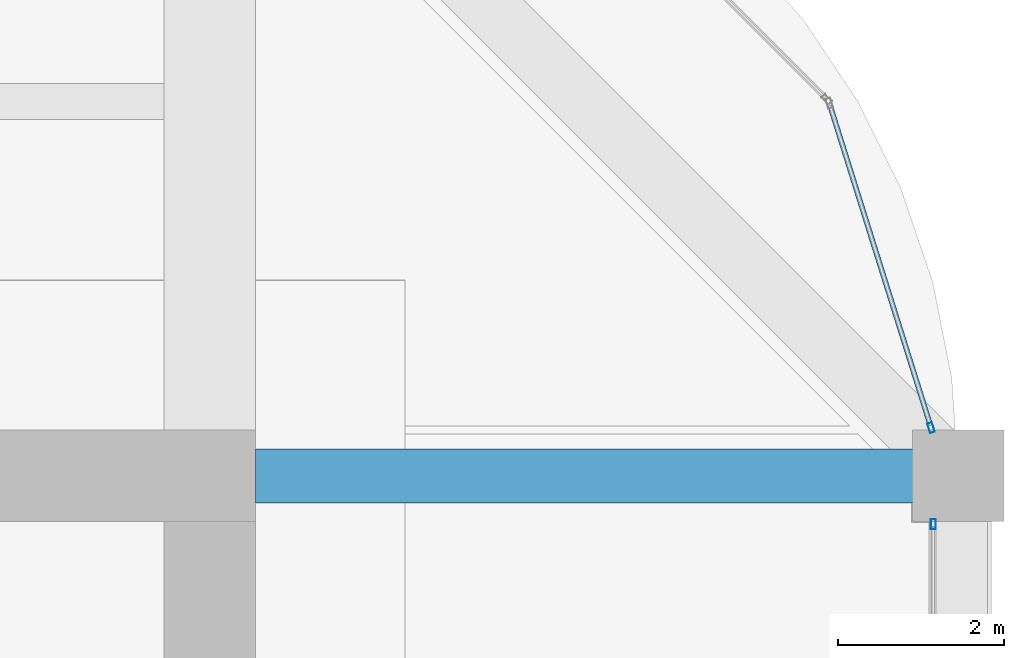
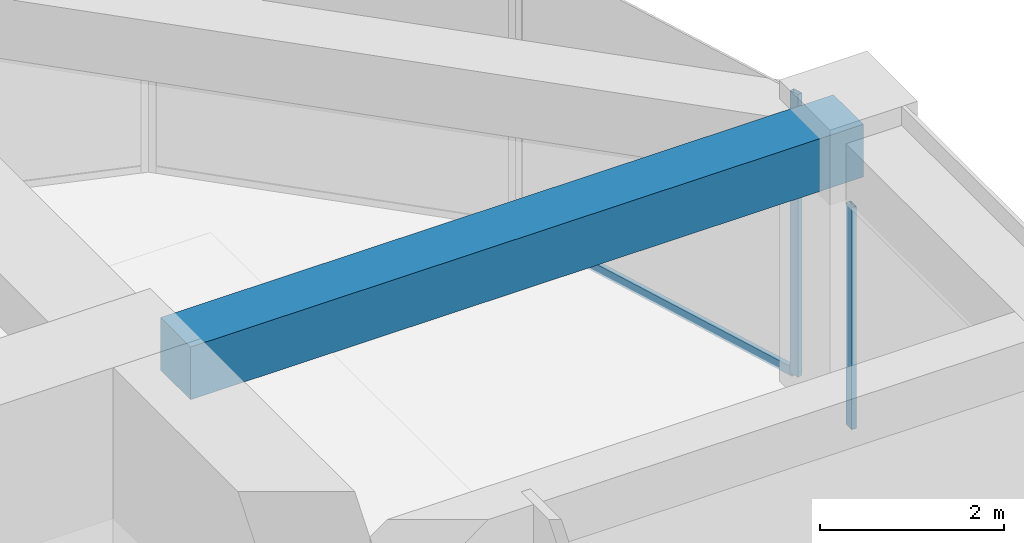
# One storey, part 36 of 44: 3 members, 1 beam, 2 elements without a shape of their own.
"""IFC4 building model written with IfcOpenShell, lengths in metres."""

from ifc_helpers import new_model, si_unit, direction, frame, origin, origin_2d, place, context, subcontext, project, spatial, rectangle, hollow_rectangle, extrude, material, material_profile, profile_set, type_object, element, aggregate, save


model = new_model("IFC4")

# Units and contexts
model_context = context("Model", 3, precision=1e-05, world=origin(), true_north=direction((0.0, 1.0)))
body_context = subcontext(model_context, "Body", "Model", "MODEL_VIEW")
ifc_project = project(units=[si_unit("LENGTHUNIT", "METRE"), si_unit("AREAUNIT", "SQUARE_METRE"), si_unit("VOLUMEUNIT", "CUBIC_METRE"), si_unit("PLANEANGLEUNIT", "RADIAN"), si_unit("MASSUNIT", "GRAM", prefix="KILO")], contexts=[model_context])

# Site, building, storey
site_placement = place(None, origin())
site = spatial("IfcSite", under=ifc_project, at=site_placement, CompositionType="ELEMENT")
building_placement = place(site_placement, origin())
building = spatial("IfcBuilding", under=site, at=building_placement, Name="Zorevar Civic Tower", CompositionType="ELEMENT")
storey_placement = place(building_placement, frame((0.0, 0.0, 287.39990234375)))
storey = spatial("IfcBuildingStorey", under=building, at=storey_placement, Name="L70", CompositionType="ELEMENT", Elevation=287.39990234375)

# Beam
ifc_material_1 = material(Name="Concrete C50/60", Category="concrete")
ifc_material_profile_1 = material_profile(ifc_material_1, rectangle(XDim=0.64990234375, YDim=0.699951171875, at=origin_2d()), Name="RC 650x700")
ifc_profile_set_1 = profile_set([ifc_material_profile_1], Name="Concrete C50/60")
beam_type = type_object("IfcBeamType", Name="Beam RC 650x700", PredefinedType="BEAM", material=ifc_profile_set_1)
beam_placement = place(storey_placement, frame((45.550048828125, 36.0, 3.400146484375), z_axis=(1.0, 0.0, 0.0), x_axis=(0.0, 1.0, 0.0)))
element("IfcBeam", 1, at=beam_placement, inside=storey, type_object=beam_type, Name="Girder L71", PredefinedType="BEAM", context=body_context, shape_type="SweptSolid", body=[
    extrude(rectangle(XDim=0.64990234375, YDim=0.699951171875, at=origin_2d()), origin(), (0.0, 0.0, 1.0), 8.449951171875),
])

# Curtain wall, member
ifc_material_2 = material(Name="Dark grey solar-control glass in black aluminium frame", Category="aluminium")
curtain_wall_type = type_object("IfcCurtainWallType", Name="Curtain wall CW5 top zone", PredefinedType="NOTDEFINED", material=ifc_material_2)
curtain_wall_1_placement = place(storey_placement, origin())
curtain_wall_1 = element("IfcCurtainWall", 2, at=curtain_wall_1_placement, inside=storey, type_object=curtain_wall_type, Name="CW5 L70", PredefinedType="NOTDEFINED")
ifc_material_3 = material(Name="Aluminium, black anodised", Category="aluminium")
ifc_material_profile_2 = material_profile(ifc_material_3, hollow_rectangle(XDim=0.06005859375, YDim=0.1201171875, WallThickness=0.0029296875, at=origin_2d()), Name="AL 120x60x3")
ifc_profile_set_2 = profile_set([ifc_material_profile_2], Name="Aluminium, black anodised")
member_type_1 = type_object("IfcMemberType", Name="CW5 mullion AL 120x60x3", PredefinedType="MULLION", material=ifc_profile_set_2)
member_1_placement = place(storey_placement, frame((53.699951171875, 35.419921875, 0.0), z_axis=(0.0, 0.0, 1.0), x_axis=(-1.0, 0.0, 0.0)))
member_1 = element("IfcMember", 3, at=member_1_placement, type_object=member_type_1, Name="CW5 mullion 3", PredefinedType="MULLION", context=body_context, shape_type="SweptSolid", body=[
    extrude(hollow_rectangle(XDim=0.06005859375, YDim=0.1201171875, WallThickness=0.0029296875, at=origin_2d()), origin(), (0.0, 0.0, 1.0), 2.9501953125),
])
aggregate(curtain_wall_1, [member_1])

# Curtain wall, members
curtain_wall_2_placement = place(storey_placement, origin())
curtain_wall_2 = element("IfcCurtainWall", 4, at=curtain_wall_2_placement, inside=storey, type_object=curtain_wall_type, Name="CW5 L70", PredefinedType="NOTDEFINED")
member_2_placement = place(storey_placement, frame((53.673583984375, 36.57861328125, 0.0), z_axis=(0.0, 0.0, 1.0), x_axis=(-0.954153437674, -0.299317920238, 0.0)))
member_2 = element("IfcMember", 5, at=member_2_placement, type_object=member_type_1, Name="CW5 mullion 1", PredefinedType="MULLION", context=body_context, shape_type="SweptSolid", body=[
    extrude(hollow_rectangle(XDim=0.06005859375, YDim=0.1201171875, WallThickness=0.0029296875, at=origin_2d()), origin(), (0.0, 0.0, 1.0), 3.75),
])
ifc_material_4 = material(Name="Aluminium, black anodised", Category="aluminium")
ifc_material_profile_3 = material_profile(ifc_material_4, hollow_rectangle(XDim=0.06005859375, YDim=0.1201171875, WallThickness=0.0029296875, at=origin_2d()), Name="AL 120x60x3")
ifc_profile_set_3 = profile_set([ifc_material_profile_3], Name="Aluminium, black anodised")
member_type_2 = type_object("IfcMemberType", Name="CW5 transom AL 120x60x3", PredefinedType="USERDEFINED", material=ifc_profile_set_3)
member_3_placement = place(storey_placement, frame((53.66455078125, 36.607177734375, 0.030029296875), z_axis=(-0.299285978047, 0.954163457351, 0.0), x_axis=(-0.954163457351, -0.299285978047, 0.0)))
member_3 = element("IfcMember", 6, at=member_3_placement, type_object=member_type_2, Name="CW5 sill transom", ObjectType="TRANSOM", PredefinedType="USERDEFINED", context=body_context, shape_type="SweptSolid", body=[
    extrude(hollow_rectangle(XDim=0.06005859375, YDim=0.1201171875, WallThickness=0.0029296875, at=origin_2d()), origin(), (0.0, 0.0, 1.0), 4.028076171875),
])
aggregate(curtain_wall_2, [member_2, member_3])

save(model, "model.ifc")
